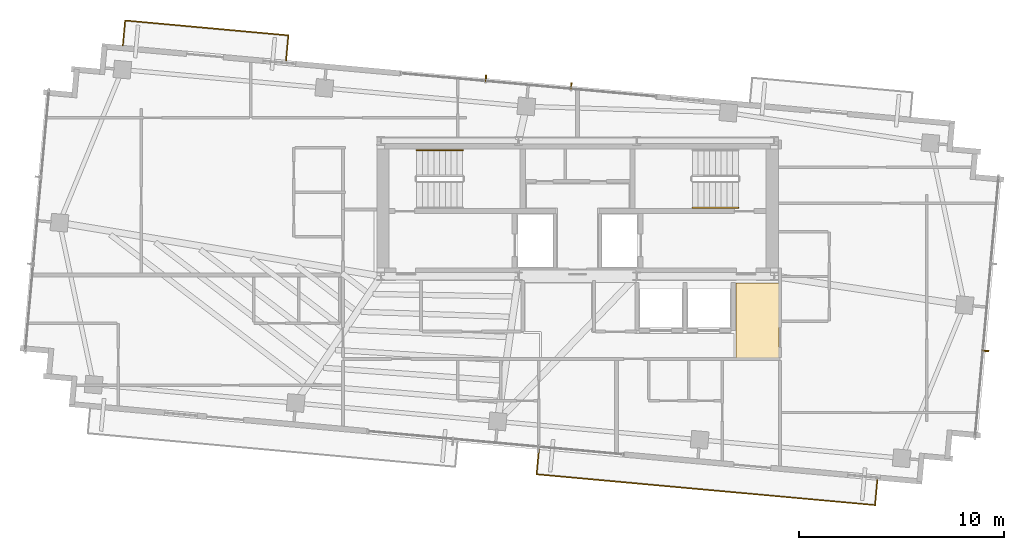
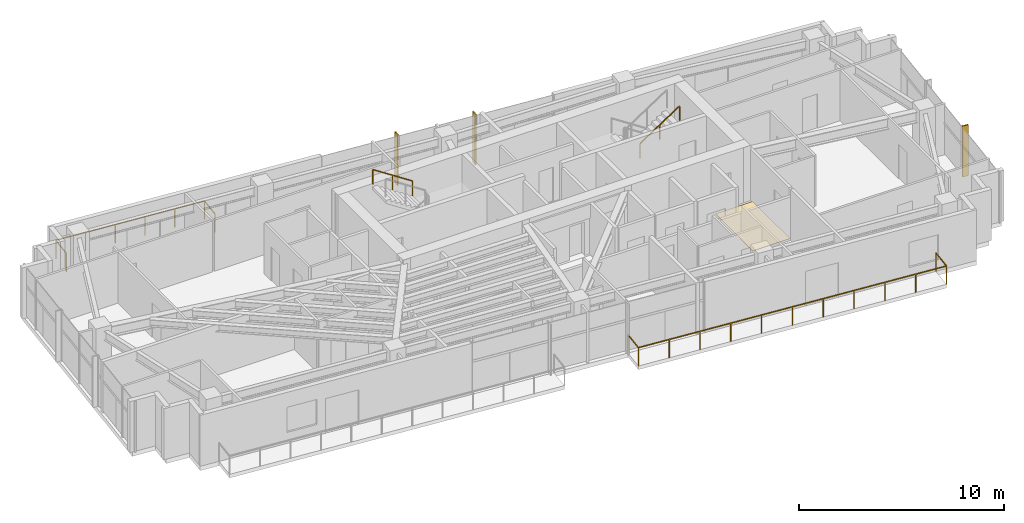
# One storey, part 21 of 22: 4 railings, 3 shading devices, 1 covering.
"""IFC4 building model written with IfcOpenShell, lengths in metres."""

from ifc_helpers import new_model, si_unit, direction, frame, origin, origin_2d, place, context, subcontext, project, spatial, polyline, rectangle, outline, extrude, source, transform, mapped, material, layer, layer_set, type_object, type_shapes, element, save


model = new_model("IFC4")

# Units and contexts
model_context = context("Model", 3, precision=1e-05, world=origin(), true_north=direction((0.0, 1.0)))
body_context = subcontext(model_context, "Body", "Model", "MODEL_VIEW")
ifc_project = project(units=[si_unit("LENGTHUNIT", "METRE"), si_unit("AREAUNIT", "SQUARE_METRE"), si_unit("VOLUMEUNIT", "CUBIC_METRE"), si_unit("PLANEANGLEUNIT", "RADIAN"), si_unit("MASSUNIT", "GRAM", prefix="KILO")], contexts=[model_context])

# Site, building, storey
site_placement = place(None, origin())
site = spatial("IfcSite", under=ifc_project, at=site_placement, CompositionType="ELEMENT")
building_placement = place(site_placement, origin())
building = spatial("IfcBuilding", under=site, at=building_placement, Name="Astriad Promenade Condominiums", CompositionType="ELEMENT")
storey_placement = place(building_placement, frame((0.0, 0.0, 223.199951171875)))
storey = spatial("IfcBuildingStorey", under=building, at=storey_placement, Name="L64", CompositionType="ELEMENT", Elevation=223.199951171875)

# Covering
ifc_material_1 = material(Name="Polished Lakefront Terrazzo Flooring")
ifc_layer = layer(ifc_material_1, 0.02001953125)
ifc_layer_set = layer_set([ifc_layer], Name="Polished Lakefront Terrazzo Flooring")
covering_type = type_object("IfcCoveringType", Name="COV-FLOR-TERRAZZO-20", PredefinedType="FLOORING", material=ifc_layer_set)
covering_placement = place(storey_placement, origin())
element("IfcCovering", 1, at=covering_placement, inside=storey, type_object=covering_type, Name="FLR-L64-COR-2", PredefinedType="FLOORING", context=body_context, shape_type="SweptSolid", body=[
    extrude(outline(polyline([(43.72998046875, 14.62353515625), (43.73095703125, 14.62451171875), (43.7333984375, 14.627685546875), (43.7353515625, 14.631103515625), (43.737060546875, 14.634765625), (43.73828125, 14.638427734375), (43.7392578125, 14.64208984375), (43.73974609375, 14.64599609375), (43.739990234375, 14.64990234375), (43.739990234375, 17.06005859375), (45.840087890625, 17.06005859375), (45.840087890625, 13.39990234375), (43.72998046875, 13.39990234375), (43.72998046875, 14.62353515625)])), origin(), (0.0, 0.0, 1.0), 0.02001953125),
])

# Shading devices
ifc_material_2 = material(Name="Anodised aluminium 6063-T6 Black Fin", Category="aluminium")
shading_device_type = type_object("IfcShadingDeviceType", Name="FIN-BLACK-260", PredefinedType="USERDEFINED", material=ifc_material_2)
shared_shape_1 = source(origin(), body_context, "Body", "SweptSolid", [
    extrude(rectangle(XDim=0.06494140625, YDim=0.320068359375, at=origin_2d()), origin(), (0.0, 0.0, 1.0), 3.0400390625),
])
type_shapes(shading_device_type, [shared_shape_1])
for number, where, z_axis, x_axis, name in (
    (2, (31.526123046875, 27.062744140625, 0.0), (0.0, 0.0, 1.0), (0.995884398616, -0.090632580198, 0.0), "CW-L64-N-FIN-01"),
    (3, (35.68896484375, 26.683837890625, 0.0), (0.0, 0.0, 1.0), (0.995884398616, -0.090632580198, 0.0), "CW-L64-N-FIN-02"),
    (4, (55.920166015625, 13.753662109375, 0.0), (0.0, 0.0, 1.0), (-0.090632580198, -0.995884398616, 0.0), "CW-L64-E-FIN-02"),
):
    element("IfcShadingDevice", number, at=place(storey_placement, frame(where, z_axis=z_axis, x_axis=x_axis)), inside=storey, type_object=shading_device_type, Name=name, ObjectType="FIN", PredefinedType="USERDEFINED", context=body_context, shape_type="MappedRepresentation", body=[
        mapped(shared_shape_1, transform((0.0, 0.0, 0.0), scale=1.0)),
    ])

# Railings
ifc_material_3 = material(Name="Laminated Glass and Stainless Steel Balustrade", Category="steel")
railing_type_1 = type_object("IfcRailingType", Name="GRD-BALC-1120", PredefinedType="BALUSTRADE", material=ifc_material_3)
shared_shape_2 = source(origin(), body_context, "Body", "SweptSolid", [
    extrude(rectangle(XDim=0.048095703125, YDim=0.048095703125, at=origin_2d()), frame((0.0, 0.0, 1.09619140625), z_axis=(-0.090643994769, -0.995883359743, 0.0), x_axis=(0.995883359743, -0.090643994769, 0.0)), (0.0, 0.0, 1.0), 1.22021484375),
    extrude(rectangle(XDim=0.048095703125, YDim=0.048095703125, at=origin_2d()), frame((-0.110595703125, -1.215087890625, 1.09619140625), z_axis=(0.995885240014, -0.09062333431, 0.0), x_axis=(0.09062333431, 0.995885240014, 0.0)), (0.0, 0.0, 1.0), 16.587158203125),
    extrude(rectangle(XDim=0.048095703125, YDim=0.048095703125, at=origin_2d()), frame((16.408203125, -2.71826171875, 1.09619140625), z_axis=(0.09066206129, 0.995881715186, 0.0), x_axis=(-0.995881715186, 0.09066206129, 0.0)), (0.0, 0.0, 1.0), 1.219970703125),
    extrude(rectangle(XDim=0.0419921875, YDim=0.0419921875, at=origin_2d()), origin(), (0.0, 0.0, 1.0), 1.072021484375),
    extrude(rectangle(XDim=0.0419921875, YDim=0.0419921875, at=origin_2d()), frame((-0.110595703125, -1.215087890625, 0.0)), (0.0, 0.0, 1.0), 1.072021484375),
    extrude(rectangle(XDim=0.0419921875, YDim=0.0419921875, at=origin_2d()), frame((1.541259765625, -1.365478515625, 0.0)), (0.0, 0.0, 1.0), 1.072021484375),
    extrude(rectangle(XDim=0.0419921875, YDim=0.0419921875, at=origin_2d()), frame((3.193115234375, -1.515625, 0.0)), (0.0, 0.0, 1.0), 1.072021484375),
    extrude(rectangle(XDim=0.0419921875, YDim=0.0419921875, at=origin_2d()), frame((4.844970703125, -1.666015625, 0.0)), (0.0, 0.0, 1.0), 1.072021484375),
    extrude(rectangle(XDim=0.0419921875, YDim=0.0419921875, at=origin_2d()), frame((6.496826171875, -1.81640625, 0.0)), (0.0, 0.0, 1.0), 1.072021484375),
    extrude(rectangle(XDim=0.0419921875, YDim=0.0419921875, at=origin_2d()), frame((8.14892578125, -1.966796875, 0.0)), (0.0, 0.0, 1.0), 1.072021484375),
    extrude(rectangle(XDim=0.0419921875, YDim=0.0419921875, at=origin_2d()), frame((9.80078125, -2.116943359375, 0.0)), (0.0, 0.0, 1.0), 1.072021484375),
    extrude(rectangle(XDim=0.0419921875, YDim=0.0419921875, at=origin_2d()), frame((11.45263671875, -2.267333984375, 0.0)), (0.0, 0.0, 1.0), 1.072021484375),
    extrude(rectangle(XDim=0.0419921875, YDim=0.0419921875, at=origin_2d()), frame((13.1044921875, -2.417724609375, 0.0)), (0.0, 0.0, 1.0), 1.072021484375),
    extrude(rectangle(XDim=0.0419921875, YDim=0.0419921875, at=origin_2d()), frame((14.75634765625, -2.56787109375, 0.0)), (0.0, 0.0, 1.0), 1.072021484375),
    extrude(rectangle(XDim=0.0419921875, YDim=0.0419921875, at=origin_2d()), frame((16.408203125, -2.71826171875, 0.0)), (0.0, 0.0, 1.0), 1.072021484375),
    extrude(rectangle(XDim=0.0419921875, YDim=0.0419921875, at=origin_2d()), frame((16.518798828125, -1.50341796875, 0.0)), (0.0, 0.0, 1.0), 1.072021484375),
])
railing_1_placement = place(storey_placement, frame((34.112548828125, 8.94384765625, 0.0)))
element("IfcRailing", 5, at=railing_1_placement, inside=storey, type_object=railing_type_1, Name="GRD-BALC-L64-SE", PredefinedType="BALUSTRADE", context=body_context, shape_type="MappedRepresentation", body=[
    mapped(shared_shape_2, transform((0.0, 0.0, 0.0), scale=1.0)),
])
shared_shape_3 = source(origin(), body_context, "Body", "SweptSolid", [
    extrude(rectangle(XDim=0.048095703125, YDim=0.048095703125, at=origin_2d()), frame((0.0, 0.0, 1.09619140625), z_axis=(0.09066206129, 0.995881715186, 0.0), x_axis=(-0.995881715186, 0.09066206129, 0.0)), (0.0, 0.0, 1.0), 1.219970703125),
    extrude(rectangle(XDim=0.048095703125, YDim=0.048095703125, at=origin_2d()), frame((0.110595703125, 1.21484375, 1.09619140625), z_axis=(-0.995884948546, 0.090626537279, 0.0), x_axis=(-0.090626537279, -0.995884948546, 0.0)), (0.0, 0.0, 1.0), 8.0009765625),
    extrude(rectangle(XDim=0.048095703125, YDim=0.048095703125, at=origin_2d()), frame((-7.857421875, 1.93994140625, 1.09619140625), z_axis=(-0.090463563939, -0.99589976584, 0.0), x_axis=(0.99589976584, -0.090463563939, 0.0)), (0.0, 0.0, 1.0), 1.2197265625),
    extrude(rectangle(XDim=0.0419921875, YDim=0.0419921875, at=origin_2d()), origin(), (0.0, 0.0, 1.0), 1.072021484375),
    extrude(rectangle(XDim=0.0419921875, YDim=0.0419921875, at=origin_2d()), frame((0.110595703125, 1.21484375, 0.0)), (0.0, 0.0, 1.0), 1.072021484375),
    extrude(rectangle(XDim=0.0419921875, YDim=0.0419921875, at=origin_2d()), frame((-1.48291015625, 1.35986328125, 0.0)), (0.0, 0.0, 1.0), 1.072021484375),
    extrude(rectangle(XDim=0.0419921875, YDim=0.0419921875, at=origin_2d()), frame((-3.07666015625, 1.5048828125, 0.0)), (0.0, 0.0, 1.0), 1.072021484375),
    extrude(rectangle(XDim=0.0419921875, YDim=0.0419921875, at=origin_2d()), frame((-4.670166015625, 1.64990234375, 0.0)), (0.0, 0.0, 1.0), 1.072021484375),
    extrude(rectangle(XDim=0.0419921875, YDim=0.0419921875, at=origin_2d()), frame((-6.263916015625, 1.794921875, 0.0)), (0.0, 0.0, 1.0), 1.072021484375),
    extrude(rectangle(XDim=0.0419921875, YDim=0.0419921875, at=origin_2d()), frame((-7.857421875, 1.93994140625, 0.0)), (0.0, 0.0, 1.0), 1.072021484375),
    extrude(rectangle(XDim=0.0419921875, YDim=0.0419921875, at=origin_2d()), frame((-7.9677734375, 0.72509765625, 0.0)), (0.0, 0.0, 1.0), 1.072021484375),
])
type_shapes(railing_type_1, [shared_shape_2, shared_shape_3])
railing_2_placement = place(storey_placement, frame((21.775390625, 27.940185546875, 0.0)))
element("IfcRailing", 6, at=railing_2_placement, inside=storey, type_object=railing_type_1, Name="GRD-BALC-L64-NW", PredefinedType="BALUSTRADE", context=body_context, shape_type="MappedRepresentation", body=[
    mapped(shared_shape_3, transform((0.0, 0.0, 0.0), scale=1.0)),
])
ifc_material_4 = material(Name="Brushed Stainless Steel Handrail", Category="steel")
railing_type_2 = type_object("IfcRailingType", Name="HRL-STAIR-920", PredefinedType="HANDRAIL", material=ifc_material_4)
shared_shape_4 = source(origin(), body_context, "Body", "SweptSolid", [
    extrude(rectangle(XDim=0.048095703125, YDim=0.048095703125, at=origin_2d()), frame((0.0, 0.0, 0.8759765625), z_axis=(0.836636935527, 0.0, 0.547757827979), x_axis=(0.0, 1.0, 0.0)), (0.0, 0.0, 1.0), 2.677490234375),
    extrude(rectangle(XDim=0.0419921875, YDim=0.0419921875, at=origin_2d()), origin(), (0.0, 0.0, 1.0), 0.851806640625),
    extrude(rectangle(XDim=0.0419921875, YDim=0.0419921875, at=origin_2d()), frame((1.1201171875, 0.0, 0.7333984375)), (0.0, 0.0, 1.0), 0.851806640625),
    extrude(rectangle(XDim=0.0419921875, YDim=0.0419921875, at=origin_2d()), frame((2.239990234375, 0.0, 1.466552734375)), (0.0, 0.0, 1.0), 0.851806640625),
])
railing_3_placement = place(storey_placement, frame((41.610107421875, 20.75, 1.83349609375)))
element("IfcRailing", 7, at=railing_3_placement, inside=storey, type_object=railing_type_2, Name="L64 ST-2 stair handrail 2", PredefinedType="HANDRAIL", context=body_context, shape_type="MappedRepresentation", body=[
    mapped(shared_shape_4, transform((0.0, 0.0, 0.0), scale=1.0)),
])
shared_shape_5 = source(origin(), body_context, "Body", "SweptSolid", [
    extrude(rectangle(XDim=0.048095703125, YDim=0.048095703125, at=origin_2d()), frame((0.0, 0.0, 0.8759765625), z_axis=(-0.836636935527, 0.0, 0.547757827979), x_axis=(0.0, -1.0, 0.0)), (0.0, 0.0, 1.0), 2.677490234375),
    extrude(rectangle(XDim=0.0419921875, YDim=0.0419921875, at=origin_2d()), origin(), (0.0, 0.0, 1.0), 0.851806640625),
    extrude(rectangle(XDim=0.0419921875, YDim=0.0419921875, at=origin_2d()), frame((-1.1201171875, 0.0, 0.7333984375)), (0.0, 0.0, 1.0), 0.851806640625),
    extrude(rectangle(XDim=0.0419921875, YDim=0.0419921875, at=origin_2d()), frame((-2.239990234375, 0.0, 1.466552734375)), (0.0, 0.0, 1.0), 0.851806640625),
])
type_shapes(railing_type_2, [shared_shape_4, shared_shape_5])
railing_4_placement = place(storey_placement, frame((30.389892578125, 23.550048828125, 1.83349609375)))
element("IfcRailing", 8, at=railing_4_placement, inside=storey, type_object=railing_type_2, Name="L64 ST-1 stair handrail 2", PredefinedType="HANDRAIL", context=body_context, shape_type="MappedRepresentation", body=[
    mapped(shared_shape_5, transform((0.0, 0.0, 0.0), scale=1.0)),
])

save(model, "model.ifc")
